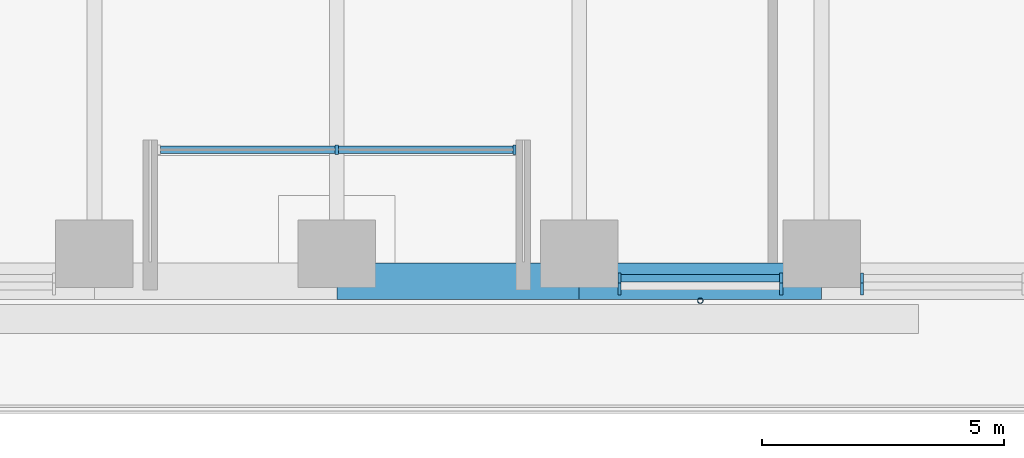
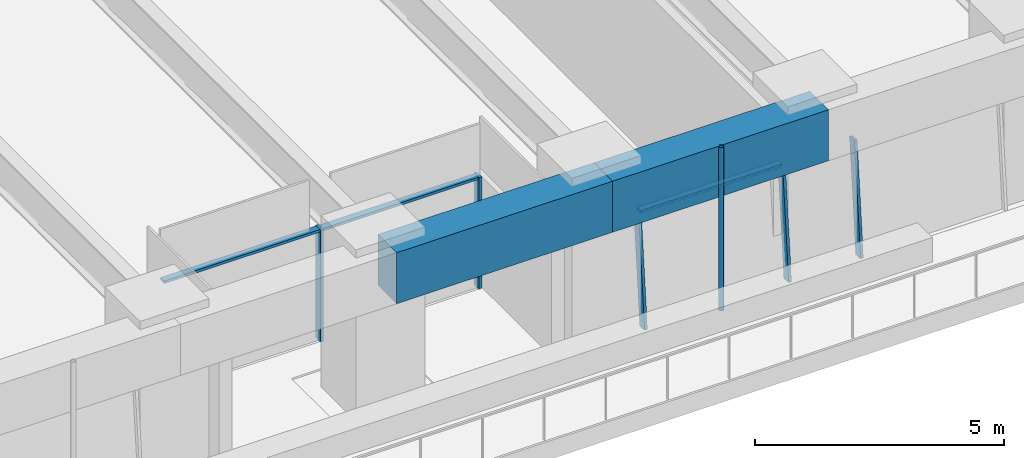
# One storey, part 4 of 24: 8 members, 2 beams, 3 elements without a shape of their own.
"""IFC4 building model written with IfcOpenShell, lengths in metres."""

from ifc_helpers import new_model, si_unit, direction, frame, origin, origin_2d, place, context, subcontext, project, spatial, rectangle, hollow_circle, extrude, material, material_profile, profile_set, type_object, element, aggregate, save


model = new_model("IFC4")

# Units and contexts
model_context = context("Model", 3, precision=1e-05, world=origin(), true_north=direction((0.0, 1.0)))
body_context = subcontext(model_context, "Body", "Model", "MODEL_VIEW")
ifc_project = project(units=[si_unit("LENGTHUNIT", "METRE"), si_unit("AREAUNIT", "SQUARE_METRE"), si_unit("VOLUMEUNIT", "CUBIC_METRE"), si_unit("PLANEANGLEUNIT", "RADIAN"), si_unit("MASSUNIT", "GRAM", prefix="KILO")], contexts=[model_context])

# Site, building, storey
site_placement = place(None, origin())
site = spatial("IfcSite", under=ifc_project, at=site_placement, CompositionType="ELEMENT")
building_placement = place(site_placement, origin())
building = spatial("IfcBuilding", under=site, at=building_placement, Name="Tarfa Lantern Tower", CompositionType="ELEMENT")
storey_placement = place(building_placement, frame((0.0, 0.0, 169.89990234375)))
storey = spatial("IfcBuildingStorey", under=building, at=storey_placement, Name="L38", CompositionType="ELEMENT", Elevation=169.89990234375)

# Curtain wall, members
ifc_material_1 = material(Name="Aluminium framed curtain wall", Category="aluminium")
curtain_wall_type_1 = type_object("IfcCurtainWallType", Name="CW2 CANTED GLAZING MID ZONE 2750", PredefinedType="USERDEFINED", material=ifc_material_1)
curtain_wall_1_placement = place(storey_placement, origin())
curtain_wall_1 = element("IfcCurtainWall", 1, at=curtain_wall_1_placement, inside=storey, type_object=curtain_wall_type_1, Name="CW2 SB L38", ObjectType="CURTAIN WALL", PredefinedType="USERDEFINED")
ifc_material_2 = material(Name="Aluminium mullion", Category="aluminium")
ifc_material_profile_1 = material_profile(ifc_material_2, rectangle(XDim=0.06494140625, YDim=0.199951171875, at=origin_2d()), Name="AL MULLION 65x200")
ifc_profile_set_1 = profile_set([ifc_material_profile_1], Name="Aluminium mullion")
member_type_1 = type_object("IfcMemberType", Name="CWM1 MULLION 65x200", PredefinedType="MULLION", material=ifc_profile_set_1)
member_1_placement = place(storey_placement, frame((5.836181640625, -31.39990234375, 0.0), z_axis=(0.0, 0.090535746043, 0.995893206468), x_axis=(-1.0, 0.0, 0.0)))
member_1 = element("IfcMember", 2, at=member_1_placement, type_object=member_type_1, Name="CW2 mullion 1", PredefinedType="MULLION", context=body_context, shape_type="SweptSolid", body=[
    extrude(rectangle(XDim=0.06494140625, YDim=0.199951171875, at=origin_2d()), origin(), (0.0, 0.0, 1.0), 2.76123046875),
])
member_2_placement = place(storey_placement, frame((9.1748046875, -31.39990234375, 0.0), z_axis=(0.0, 0.090535746043, 0.995893206468), x_axis=(-1.0, 0.0, 0.0)))
member_2 = element("IfcMember", 3, at=member_2_placement, type_object=member_type_1, Name="CW2 mullion 2", PredefinedType="MULLION", context=body_context, shape_type="SweptSolid", body=[
    extrude(rectangle(XDim=0.06494140625, YDim=0.199951171875, at=origin_2d()), origin(), (0.0, 0.0, 1.0), 2.76123046875),
])

# Curtain wall, member
curtain_wall_2_placement = place(storey_placement, origin())
curtain_wall_2 = element("IfcCurtainWall", 4, at=curtain_wall_2_placement, inside=storey, type_object=curtain_wall_type_1, Name="CW2 SB L38", ObjectType="CURTAIN WALL", PredefinedType="USERDEFINED")
member_3_placement = place(storey_placement, frame((10.83984375, -31.39990234375, 0.0), z_axis=(0.0, 0.090535746043, 0.995893206468), x_axis=(-1.0, 0.0, 0.0)))
member_3 = element("IfcMember", 5, at=member_3_placement, type_object=member_type_1, Name="CW2 mullion 1", PredefinedType="MULLION", context=body_context, shape_type="SweptSolid", body=[
    extrude(rectangle(XDim=0.06494140625, YDim=0.199951171875, at=origin_2d()), origin(), (0.0, 0.0, 1.0), 2.76123046875),
])
aggregate(curtain_wall_2, [member_3])

# Curtain wall, members
curtain_wall_type_2 = type_object("IfcCurtainWallType", Name="CW10 LOGGIA GLAZING 2750", PredefinedType="USERDEFINED", material=ifc_material_1)
curtain_wall_3_placement = place(storey_placement, origin())
curtain_wall_3 = element("IfcCurtainWall", 6, at=curtain_wall_3_placement, inside=storey, type_object=curtain_wall_type_2, Name="CW10 SL L38", ObjectType="CURTAIN WALL", PredefinedType="USERDEFINED")
member_4_placement = place(storey_placement, frame((0.0, -28.5, 0.0), z_axis=(0.0, 0.0, 1.0), x_axis=(1.0, 0.0, 0.0)))
member_4 = element("IfcMember", 7, at=member_4_placement, type_object=member_type_1, Name="CW10 mullion 2", PredefinedType="MULLION", context=body_context, shape_type="SweptSolid", body=[
    extrude(rectangle(XDim=0.06494140625, YDim=0.199951171875, at=origin_2d()), origin(), (0.0, 0.0, 1.0), 2.75),
])
member_5_placement = place(storey_placement, frame((3.671142578125, -28.5, 0.0), z_axis=(0.0, 0.0, 1.0), x_axis=(1.0, 0.0, 0.0)))
member_5 = element("IfcMember", 8, at=member_5_placement, type_object=member_type_1, Name="CW10 mullion 3", PredefinedType="MULLION", context=body_context, shape_type="SweptSolid", body=[
    extrude(rectangle(XDim=0.06494140625, YDim=0.199951171875, at=origin_2d()), origin(), (0.0, 0.0, 1.0), 2.75),
])

# Member
ifc_material_3 = material(Name="Aluminium transom", Category="aluminium")
ifc_material_profile_2 = material_profile(ifc_material_3, rectangle(XDim=0.14990234375, YDim=0.06494140625, at=origin_2d()), Name="AL TRANSOM 150x65")
ifc_profile_set_2 = profile_set([ifc_material_profile_2], Name="Aluminium transom")
member_type_2 = type_object("IfcMemberType", Name="CWT1 TRANSOM 150x65", PredefinedType="USERDEFINED", material=ifc_profile_set_2)
member_6_placement = place(storey_placement, frame((5.86865234375, -31.153076171875, 2.717529296875), z_axis=(1.0, 0.0, 0.0), x_axis=(0.0, 1.0, 0.0)))
member_6 = element("IfcMember", 9, at=member_6_placement, type_object=member_type_2, Name="CW2 transom 1.2", ObjectType="TRANSOM", PredefinedType="USERDEFINED", context=body_context, shape_type="SweptSolid", body=[
    extrude(rectangle(XDim=0.14990234375, YDim=0.06494140625, at=origin_2d()), origin(), (0.0, 0.0, 1.0), 3.273681640625),
])

aggregate(curtain_wall_1, [member_1, member_2, member_6])

member_7_placement = place(storey_placement, frame((-3.638671875, -28.5, 2.717529296875), z_axis=(1.0, 0.0, 0.0), x_axis=(0.0, 1.0, 0.0)))
member_7 = element("IfcMember", 10, at=member_7_placement, type_object=member_type_2, Name="CW10 transom 1.2", ObjectType="TRANSOM", PredefinedType="USERDEFINED", context=body_context, shape_type="SweptSolid", body=[
    extrude(rectangle(XDim=0.14990234375, YDim=0.06494140625, at=origin_2d()), origin(), (0.0, 0.0, 1.0), 7.27734375),
])

aggregate(curtain_wall_3, [member_4, member_5, member_7])

# Beams
ifc_material_4 = material(Name="Concrete C80/95", Category="concrete")
ifc_material_profile_3 = material_profile(ifc_material_4, rectangle(XDim=0.75, YDim=1.25, at=origin_2d()), Name="RC 750x1250")
ifc_profile_set_3 = profile_set([ifc_material_profile_3], Name="Concrete C80/95")
beam_type = type_object("IfcBeamType", Name="EB2 RC 750x1250", PredefinedType="SPANDREL", material=ifc_profile_set_3)
for number, where, z_axis, x_axis, name in (
    (11, (0.0, -31.219970703125, 3.375), (1.0, 0.0, 0.0), (0.0, 1.0, 0.0), "Edge beam S3"),
    (12, (5.003662109375, -31.219970703125, 3.375), (1.0, 0.0, 0.0), (0.0, 1.0, 0.0), "Edge beam S4"),
):
    element("IfcBeam", number, at=place(storey_placement, frame(where, z_axis=z_axis, x_axis=x_axis)), inside=storey, type_object=beam_type, Name=name, PredefinedType="SPANDREL", context=body_context, shape_type="SweptSolid", body=[
        extrude(rectangle(XDim=0.75, YDim=1.25, at=origin_2d()), origin(), (0.0, 0.0, 1.0), 5.003662109375),
    ])

# Member
ifc_material_5 = material(Name="Steel S355", Category="steel")
ifc_material_profile_4 = material_profile(ifc_material_5, hollow_circle(Radius=0.05712890625, WallThickness=0.00634765625, at=origin_2d()), Name="CHS114.3x6.3")
ifc_profile_set_4 = profile_set([ifc_material_profile_4], Name="Steel S355")
member_type_3 = type_object("IfcMemberType", Name="TR1 GREEN WALL TRELLIS CHS114.3x6.3", PredefinedType="USERDEFINED", material=ifc_profile_set_4)
member_8_placement = place(storey_placement, frame((7.505615234375, -31.6201171875, 0.0), z_axis=(0.0, 0.0, 1.0), x_axis=(1.0, 0.0, 0.0)))
element("IfcMember", 13, at=member_8_placement, inside=storey, type_object=member_type_3, Name="Trellis post S 2", ObjectType="TRELLIS", PredefinedType="USERDEFINED", context=body_context, shape_type="SweptSolid", body=[
    extrude(hollow_circle(Radius=0.05712890625, WallThickness=0.00634765625, at=origin_2d()), origin(), (0.0, 0.0, 1.0), 4.0),
])

save(model, "model.ifc")
